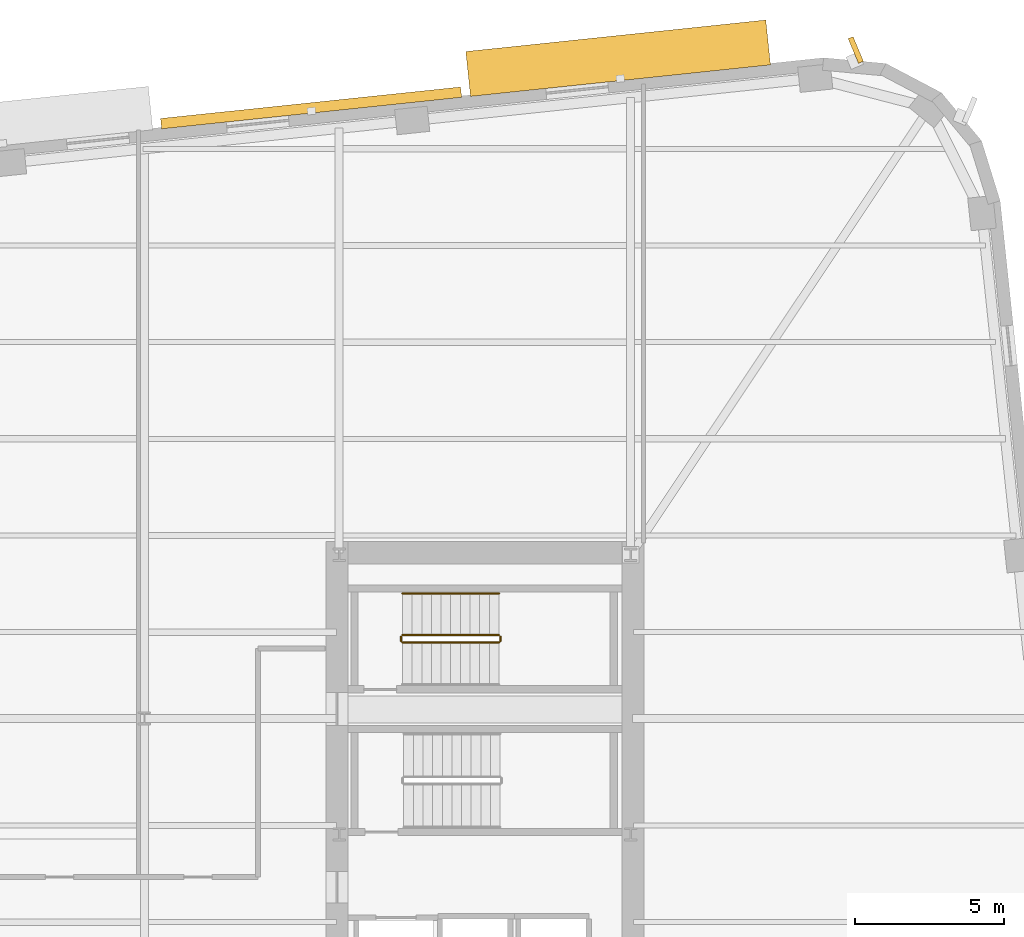
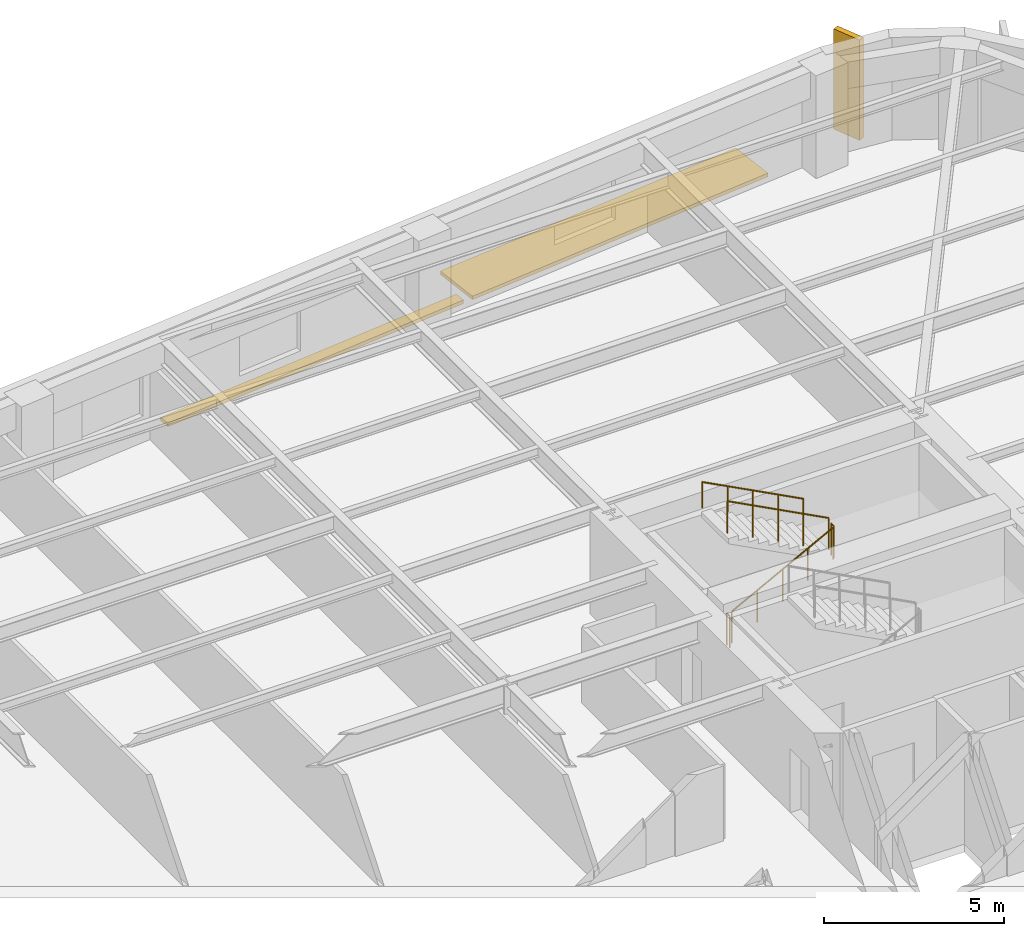
# One storey, part 14 of 15: 5 railings, 3 shading devices.
"""IFC4 building model written with IfcOpenShell, lengths in metres."""

from ifc_helpers import new_model, si_unit, direction, frame, origin, origin_2d, place, context, subcontext, project, spatial, rectangle, circle, extrude, material, type_object, element, save


model = new_model("IFC4")

# Units and contexts
model_context = context("Model", 3, precision=1e-05, world=origin(), true_north=direction((0.0, 1.0)))
body_context = subcontext(model_context, "Body", "Model", "MODEL_VIEW")
ifc_project = project(units=[si_unit("LENGTHUNIT", "METRE"), si_unit("AREAUNIT", "SQUARE_METRE"), si_unit("VOLUMEUNIT", "CUBIC_METRE"), si_unit("PLANEANGLEUNIT", "RADIAN"), si_unit("MASSUNIT", "GRAM", prefix="KILO")], contexts=[model_context])

# Site, building, storey
site_placement = place(None, origin())
site = spatial("IfcSite", under=ifc_project, at=site_placement, CompositionType="ELEMENT")
building_placement = place(site_placement, origin())
building = spatial("IfcBuilding", under=site, at=building_placement, Name="Kolvaren Arena Tower", CompositionType="ELEMENT")
storey_placement = place(building_placement, frame((0.0, 0.0, 118.449951171875)))
storey = spatial("IfcBuildingStorey", under=building, at=storey_placement, Name="L27", CompositionType="ELEMENT", Elevation=118.449951171875)

# Railings
ifc_material_1 = material(Name="Painted galvanized steel", Category="steel")
railing_type_1 = type_object("IfcRailingType", Name="GUARD-ST-110", PredefinedType="GUARDRAIL", material=ifc_material_1)
railing_1_placement = place(storey_placement, frame((52.679931640625, 36.39990234375, 0.17041015625)))
element("IfcRailing", 1, at=railing_1_placement, inside=storey, type_object=railing_type_1, Name="L27 ST-E2 stair guard 1", PredefinedType="GUARDRAIL", context=body_context, shape_type="SweptSolid", body=[
    extrude(circle(Radius=0.02392578125, at=origin_2d()), frame((0.0, 0.0, 1.076171875), z_axis=(0.884993431791, 0.0, 0.465603506952), x_axis=(0.0, 1.0, 0.0)), (0.0, 0.0, 1.0), 3.6611328125),
    extrude(circle(Radius=0.02099609375, at=origin_2d()), origin(), (0.0, 0.0, 1.0), 1.052001953125),
    extrude(circle(Radius=0.02099609375, at=origin_2d()), frame((0.81005859375, 0.0, 0.42626953125)), (0.0, 0.0, 1.0), 1.052001953125),
    extrude(circle(Radius=0.02099609375, at=origin_2d()), frame((1.6201171875, 0.0, 0.852294921875)), (0.0, 0.0, 1.0), 1.052001953125),
    extrude(circle(Radius=0.02099609375, at=origin_2d()), frame((2.429931640625, 0.0, 1.2783203125)), (0.0, 0.0, 1.0), 1.052001953125),
    extrude(circle(Radius=0.02099609375, at=origin_2d()), frame((3.239990234375, 0.0, 1.70458984375)), (0.0, 0.0, 1.0), 1.052001953125),
])
railing_2_placement = place(storey_placement, frame((55.969970703125, 36.449951171875, 1.875)))
element("IfcRailing", 2, at=railing_2_placement, inside=storey, type_object=railing_type_1, Name="L27 ST-E2 stair guard 2", PredefinedType="GUARDRAIL", context=body_context, shape_type="SweptSolid", body=[
    extrude(circle(Radius=0.02392578125, at=origin_2d()), frame((0.0, 0.0, 1.076171875), z_axis=(0.0, 1.0, 0.0), x_axis=(-1.0, 0.0, 0.0)), (0.0, 0.0, 1.0), 0.150146484375),
    extrude(circle(Radius=0.02099609375, at=origin_2d()), origin(), (0.0, 0.0, 1.0), 1.052001953125),
    extrude(circle(Radius=0.02099609375, at=origin_2d()), frame((0.0, 0.150146484375, 0.0)), (0.0, 0.0, 1.0), 1.052001953125),
])
railing_3_placement = place(storey_placement, frame((55.919921875, 36.64990234375, 2.04541015625)))
element("IfcRailing", 3, at=railing_3_placement, inside=storey, type_object=railing_type_1, Name="L27 ST-E2 stair guard 3", PredefinedType="GUARDRAIL", context=body_context, shape_type="SweptSolid", body=[
    extrude(circle(Radius=0.02392578125, at=origin_2d()), frame((0.0, 0.0, 1.076171875), z_axis=(-0.884993431791, 0.0, 0.465603506952), x_axis=(0.0, -1.0, 0.0)), (0.0, 0.0, 1.0), 3.6611328125),
    extrude(circle(Radius=0.02099609375, at=origin_2d()), origin(), (0.0, 0.0, 1.0), 1.052001953125),
    extrude(circle(Radius=0.02099609375, at=origin_2d()), frame((-0.81005859375, 0.0, 0.42626953125)), (0.0, 0.0, 1.0), 1.052001953125),
    extrude(circle(Radius=0.02099609375, at=origin_2d()), frame((-1.6201171875, 0.0, 0.852294921875)), (0.0, 0.0, 1.0), 1.052001953125),
    extrude(circle(Radius=0.02099609375, at=origin_2d()), frame((-2.429931640625, 0.0, 1.2783203125)), (0.0, 0.0, 1.0), 1.052001953125),
    extrude(circle(Radius=0.02099609375, at=origin_2d()), frame((-3.239990234375, 0.0, 1.70458984375)), (0.0, 0.0, 1.0), 1.052001953125),
])
railing_4_placement = place(storey_placement, frame((52.6298828125, 36.449951171875, 0.0)))
element("IfcRailing", 4, at=railing_4_placement, inside=storey, type_object=railing_type_1, Name="L27 ST-E2 stair guard 4", PredefinedType="GUARDRAIL", context=body_context, shape_type="SweptSolid", body=[
    extrude(circle(Radius=0.02392578125, at=origin_2d()), frame((0.0, 0.0, 1.076171875), z_axis=(0.0, 1.0, 0.0), x_axis=(-1.0, 0.0, 0.0)), (0.0, 0.0, 1.0), 0.150146484375),
    extrude(circle(Radius=0.02099609375, at=origin_2d()), origin(), (0.0, 0.0, 1.0), 1.052001953125),
    extrude(circle(Radius=0.02099609375, at=origin_2d()), frame((0.0, 0.150146484375, 0.0)), (0.0, 0.0, 1.0), 1.052001953125),
])
ifc_material_2 = material(Name="Brushed stainless steel handrail", Category="steel")
railing_type_2 = type_object("IfcRailingType", Name="HRAIL-900", PredefinedType="HANDRAIL", material=ifc_material_2)
railing_5_placement = place(storey_placement, frame((55.919921875, 38.050048828125, 2.04541015625)))
element("IfcRailing", 5, at=railing_5_placement, inside=storey, type_object=railing_type_2, Name="L27 ST-E2 stair handrail 2", PredefinedType="HANDRAIL", context=body_context, shape_type="SweptSolid", body=[
    extrude(circle(Radius=0.02392578125, at=origin_2d()), frame((0.0, 0.0, 0.8759765625), z_axis=(-0.884993431791, 0.0, 0.465603506952), x_axis=(0.0, -1.0, 0.0)), (0.0, 0.0, 1.0), 3.6611328125),
    extrude(circle(Radius=0.02099609375, at=origin_2d()), origin(), (0.0, 0.0, 1.0), 0.851806640625),
    extrude(circle(Radius=0.02099609375, at=origin_2d()), frame((-0.81005859375, 0.0, 0.42626953125)), (0.0, 0.0, 1.0), 0.851806640625),
    extrude(circle(Radius=0.02099609375, at=origin_2d()), frame((-1.6201171875, 0.0, 0.852294921875)), (0.0, 0.0, 1.0), 0.851806640625),
    extrude(circle(Radius=0.02099609375, at=origin_2d()), frame((-2.429931640625, 0.0, 1.2783203125)), (0.0, 0.0, 1.0), 0.851806640625),
    extrude(circle(Radius=0.02099609375, at=origin_2d()), frame((-3.239990234375, 0.0, 1.70458984375)), (0.0, 0.0, 1.0), 0.851806640625),
])

# Shading devices
ifc_material_3 = material(Name="Precast architectural concrete C50/60 rib fin", Category="concrete")
shading_device_type_1 = type_object("IfcShadingDeviceType", Name="SHAD-FIN-28", PredefinedType="USERDEFINED", material=ifc_material_3)
shading_device_1_placement = place(storey_placement, frame((67.916259765625, 56.320556640625, 0.02001953125), z_axis=(0.0, 0.0, 1.0), x_axis=(-0.386706132999, 0.922202996472, 0.0)))
element("IfcShadingDevice", 6, at=shading_device_1_placement, inside=storey, type_object=shading_device_type_1, Name="Precast 28-Deg Corner Rib Fin (L27)", ObjectType="FIN", PredefinedType="USERDEFINED", context=body_context, shape_type="SweptSolid", body=[
    extrude(rectangle(XDim=0.89990234375, YDim=0.179931640625, at=origin_2d()), origin(), (0.0, 0.0, 1.0), 3.39990234375),
])
ifc_material_4 = material(Name="Architectural precast GFRC and anodised aluminium sunshade", Category="concrete")
shading_device_type_2 = type_object("IfcShadingDeviceType", Name="SHAD-SINE-A", PredefinedType="USERDEFINED", material=ifc_material_4)
shading_device_2_placement = place(storey_placement, frame((49.60595703125, 54.373779296875, -0.139892578125), z_axis=(0.0, 0.0, 1.0), x_axis=(0.994522077803, 0.104526727499, 0.0)))
element("IfcShadingDevice", 7, at=shading_device_2_placement, inside=storey, type_object=shading_device_type_2, Name="Sinusoidal Slab-Edge Sunshade Louvre (L27)", ObjectType="LOUVRE", PredefinedType="USERDEFINED", context=body_context, shape_type="SweptSolid", body=[
    extrude(rectangle(XDim=10.139892578125, YDim=0.3505859375, at=origin_2d()), origin(), (0.0, 0.0, 1.0), 0.1201171875),
])
shading_device_type_3 = type_object("IfcShadingDeviceType", Name="SHAD-SINE-B", PredefinedType="JALOUSIE", material=ifc_material_4)
shading_device_3_placement = place(storey_placement, frame((59.927734375, 56.044921875, -0.139892578125), z_axis=(0.0, 0.0, 1.0), x_axis=(0.994522077803, 0.104526727499, 0.0)))
element("IfcShadingDevice", 8, at=shading_device_3_placement, inside=storey, type_object=shading_device_type_3, Name="Sinusoidal Slab-Edge Sunshade Louvre (L27)", PredefinedType="JALOUSIE", context=body_context, shape_type="SweptSolid", body=[
    extrude(rectangle(XDim=10.139892578125, YDim=1.51708984375, at=origin_2d()), origin(), (0.0, 0.0, 1.0), 0.1201171875),
])

save(model, "model.ifc")
